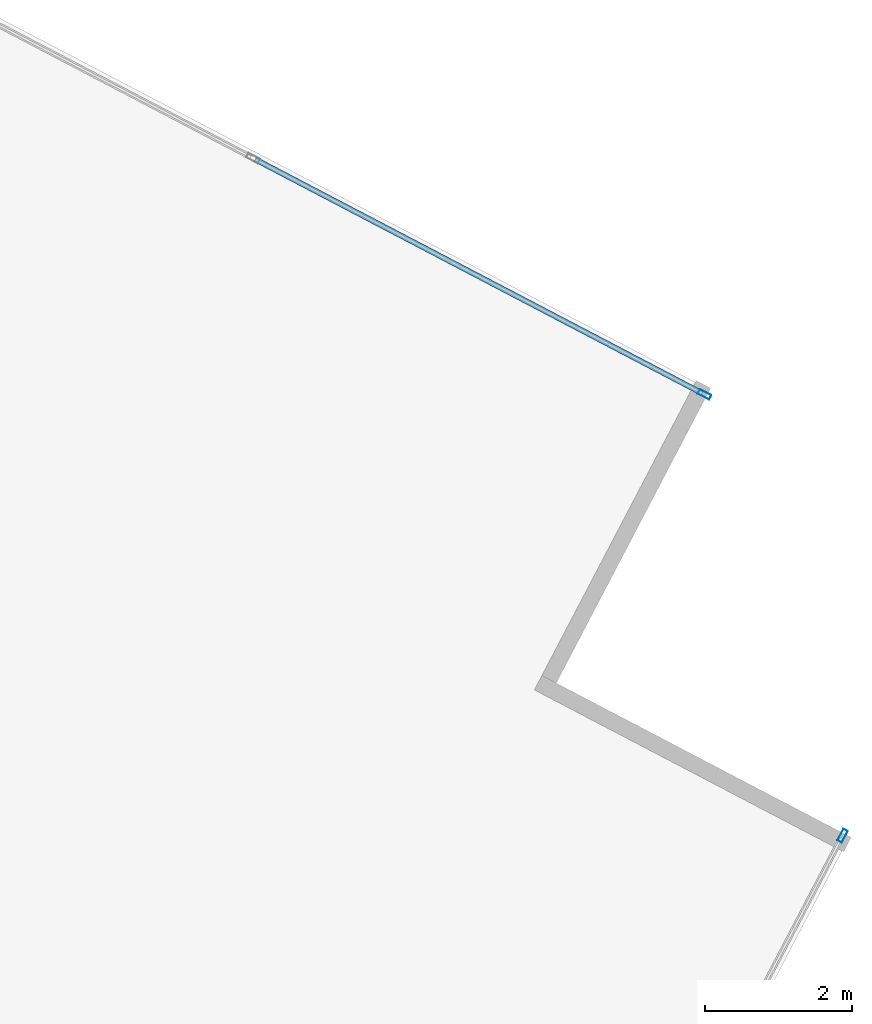
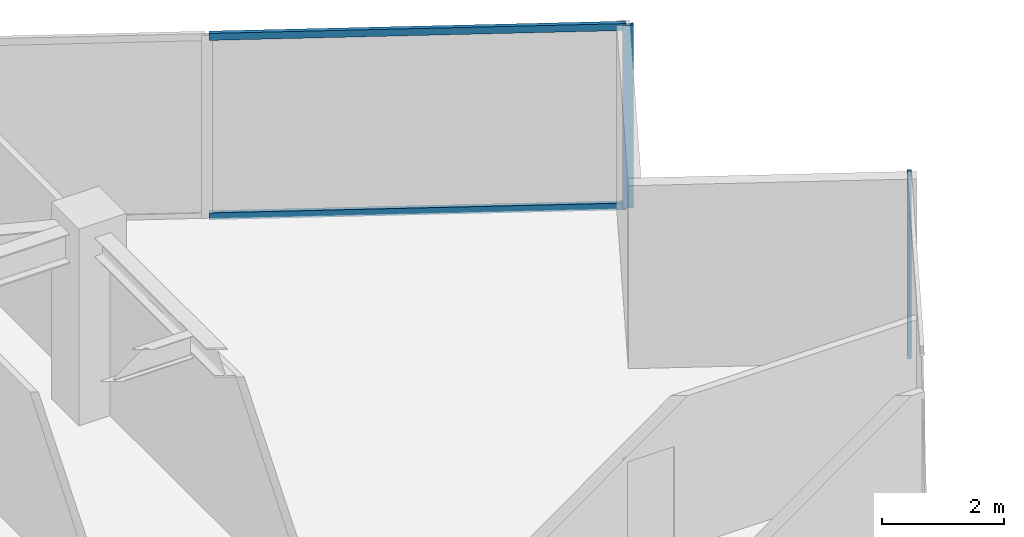
# One storey, part 20 of 27: 4 members, 2 elements without a shape of their own.
"""IFC4 building model written with IfcOpenShell, lengths in metres."""

from ifc_helpers import new_model, si_unit, direction, frame, origin, origin_2d, place, context, subcontext, project, spatial, hollow_rectangle, extrude, source, transform, mapped, material, material_profile, profile_set, type_object, type_shapes, element, aggregate, save


model = new_model("IFC4")

# Units and contexts
model_context = context("Model", 3, precision=1e-05, world=origin(), true_north=direction((0.0, 1.0)))
body_context = subcontext(model_context, "Body", "Model", "MODEL_VIEW")
ifc_project = project(units=[si_unit("LENGTHUNIT", "METRE"), si_unit("AREAUNIT", "SQUARE_METRE"), si_unit("VOLUMEUNIT", "CUBIC_METRE"), si_unit("PLANEANGLEUNIT", "RADIAN"), si_unit("MASSUNIT", "GRAM", prefix="KILO")], contexts=[model_context])

# Site, building, storey
site_placement = place(None, origin())
site = spatial("IfcSite", under=ifc_project, at=site_placement, CompositionType="ELEMENT")
building_placement = place(site_placement, origin())
building = spatial("IfcBuilding", under=site, at=building_placement, Name="Krantzveldt Concourse Tower", CompositionType="ELEMENT")
storey_placement = place(building_placement, frame((0.0, 0.0, 150.14990234375)))
storey = spatial("IfcBuildingStorey", under=building, at=storey_placement, Name="L36", CompositionType="ELEMENT", Elevation=150.14990234375)

# Curtain wall, member
ifc_material = material(Name="Anodised aluminium 6063-T6", Category="aluminium")
curtain_wall_type = type_object("IfcCurtainWallType", Name="CW3", PredefinedType="USERDEFINED", material=ifc_material)
curtain_wall_1_placement = place(storey_placement, origin())
curtain_wall_1 = element("IfcCurtainWall", 1, at=curtain_wall_1_placement, inside=storey, type_object=curtain_wall_type, Name="CW-L36-F07", ObjectType="UNITISED CURTAIN WALL", PredefinedType="USERDEFINED")
ifc_material_profile_1 = material_profile(ifc_material, hollow_rectangle(XDim=0.070068359375, YDim=0.179931640625, WallThickness=0.0048828125, at=origin_2d()), Name="Anodised aluminium 6063-T6", Category="aluminium")
ifc_profile_set_1 = profile_set([ifc_material_profile_1], Name="Anodised aluminium 6063-T6 - ALU-MULL 180x70x5")
member_type_1 = type_object("IfcMemberType", Name="CW-MUL-180", PredefinedType="MULLION", material=ifc_profile_set_1)
shared_shape_1 = source(origin(), body_context, "Body", "SweptSolid", [
    extrude(hollow_rectangle(XDim=0.070068359375, YDim=0.179931640625, WallThickness=0.0048828125, at=origin_2d()), origin(), (0.0, 0.0, 1.0), 3.670166015625),
])
type_shapes(member_type_1, [shared_shape_1])
member_1_placement = place(storey_placement, frame((63.37548828125, 31.972412109375, 0.0), z_axis=(0.0, 0.0, 1.0), x_axis=(-0.886001265743, 0.463682819502, 0.0)))
member_1 = element("IfcMember", 2, at=member_1_placement, type_object=member_type_1, Name="CW-Z34 mullion 6", PredefinedType="MULLION", context=body_context, shape_type="MappedRepresentation", body=[
    mapped(shared_shape_1, transform((0.0, 0.0, 0.0), x_axis=(1.0, 0.0, 0.0), y_axis=(0.0, 1.0, 0.0), z_axis=(0.0, 0.0, 1.0), scale=1.0)),
])
aggregate(curtain_wall_1, [member_1])

# Curtain wall, members
curtain_wall_2_placement = place(storey_placement, origin())
curtain_wall_2 = element("IfcCurtainWall", 3, at=curtain_wall_2_placement, inside=storey, type_object=curtain_wall_type, Name="CW-L36-F10", ObjectType="UNITISED CURTAIN WALL", PredefinedType="USERDEFINED")
member_2_placement = place(storey_placement, frame((61.498291015625, 37.971923828125, 0.0), z_axis=(0.0, 0.0, 1.0), x_axis=(-0.463682819502, -0.886001265743, 0.0)))
member_2 = element("IfcMember", 4, at=member_2_placement, type_object=member_type_1, Name="CW-Z34 mullion 1", PredefinedType="MULLION", context=body_context, shape_type="MappedRepresentation", body=[
    mapped(shared_shape_1, transform((0.0, 0.0, 0.0), x_axis=(1.0, 0.0, 0.0), y_axis=(0.0, 1.0, 0.0), z_axis=(0.0, 0.0, 1.0), scale=1.0)),
])
ifc_material_profile_2 = material_profile(ifc_material, hollow_rectangle(XDim=0.070068359375, YDim=0.139892578125, WallThickness=0.0048828125, at=origin_2d()), Name="Anodised aluminium 6063-T6", Category="aluminium")
ifc_profile_set_2 = profile_set([ifc_material_profile_2], Name="Anodised aluminium 6063-T6 - ALU-TRAN 140x70x5")
member_type_2 = type_object("IfcMemberType", Name="CW-TRN-150", PredefinedType="USERDEFINED", material=ifc_profile_set_2)
shared_shape_2 = source(origin(), body_context, "Body", "SweptSolid", [
    extrude(hollow_rectangle(XDim=0.070068359375, YDim=0.139892578125, WallThickness=0.0048828125, at=origin_2d()), origin(), (0.0, 0.0, 1.0), 6.85498046875),
])
type_shapes(member_type_2, [shared_shape_2])
member_3_placement = place(storey_placement, frame((61.46728515625, 37.988037109375, 0.03515625), z_axis=(-0.886004354252, 0.463676917957, 0.0), x_axis=(-0.463676917957, -0.886004354252, 0.0)))
member_3 = element("IfcMember", 5, at=member_3_placement, type_object=member_type_2, Name="CW-Z34 transom 1.1", ObjectType="TRANSOM", PredefinedType="USERDEFINED", context=body_context, shape_type="MappedRepresentation", body=[
    mapped(shared_shape_2, transform((0.0, 0.0, 0.0), x_axis=(1.0, 0.0, 0.0), y_axis=(0.0, 1.0, 0.0), z_axis=(0.0, 0.0, 1.0), scale=1.0)),
])
member_4_placement = place(storey_placement, frame((61.46728515625, 37.988037109375, 3.635009765625), z_axis=(-0.886004354252, 0.463676917957, 0.0), x_axis=(-0.463676917957, -0.886004354252, 0.0)))
member_4 = element("IfcMember", 6, at=member_4_placement, type_object=member_type_2, Name="CW-Z34 transom 1.2", ObjectType="TRANSOM", PredefinedType="USERDEFINED", context=body_context, shape_type="MappedRepresentation", body=[
    mapped(shared_shape_2, transform((0.0, 0.0, 0.0), x_axis=(1.0, 0.0, 0.0), y_axis=(0.0, 1.0, 0.0), z_axis=(0.0, 0.0, 1.0), scale=1.0)),
])
aggregate(curtain_wall_2, [member_2, member_3, member_4])

save(model, "model.ifc")
